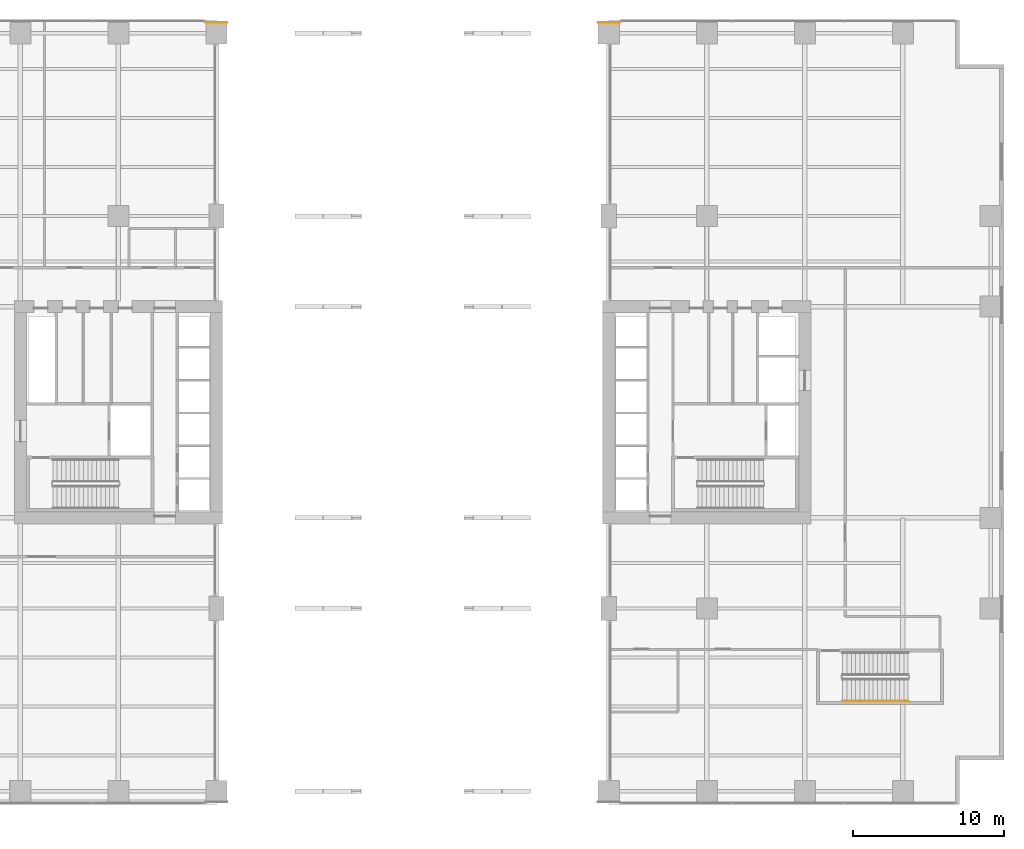
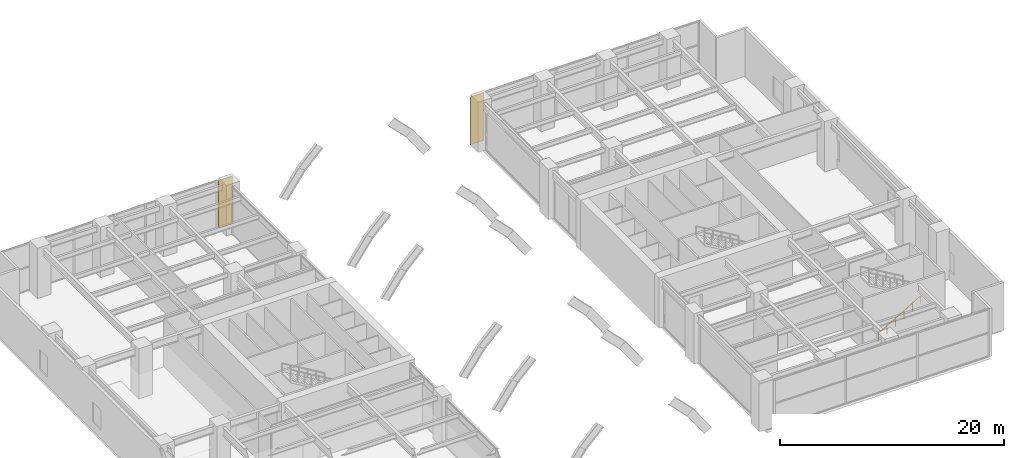
# One storey, part 17 of 18: 2 coverings, 1 railing.
"""IFC4 building model written with IfcOpenShell, lengths in metres."""

from ifc_helpers import new_model, si_unit, direction, frame, origin, origin_2d, place, context, subcontext, project, spatial, rectangle, circle, extrude, material, layer, layer_set, type_object, element, save


model = new_model("IFC4")

# Units and contexts
model_context = context("Model", 3, precision=1e-05, world=origin(), true_north=direction((0.0, 1.0)))
body_context = subcontext(model_context, "Body", "Model", "MODEL_VIEW")
ifc_project = project(units=[si_unit("LENGTHUNIT", "METRE"), si_unit("AREAUNIT", "SQUARE_METRE"), si_unit("VOLUMEUNIT", "CUBIC_METRE"), si_unit("PLANEANGLEUNIT", "RADIAN"), si_unit("MASSUNIT", "GRAM", prefix="KILO")], contexts=[model_context])

# Site, building, storey
site_placement = place(None, origin())
site = spatial("IfcSite", under=ifc_project, at=site_placement, CompositionType="ELEMENT")
building_placement = place(site_placement, origin())
building = spatial("IfcBuilding", under=site, at=building_placement, Name="Putna Gate Headquarters", CompositionType="ELEMENT")
storey_placement = place(building_placement, frame((0.0, 0.0, 11.5)))
storey = spatial("IfcBuildingStorey", under=building, at=storey_placement, Name="L02", CompositionType="ELEMENT", Elevation=11.5)

# Coverings
ifc_material_1 = material(Name="Anodised architectural bronze rainscreen cladding", Category="aluminium")
ifc_layer = layer(ifc_material_1, 0.0400390625)
ifc_layer_set = layer_set([ifc_layer], Name="Anodised architectural bronze rainscreen cladding")
covering_type = type_object("IfcCoveringType", Name="COV-BRONZE-CLADDING", PredefinedType="CLADDING", material=ifc_layer_set)
for number, where, z_axis, x_axis, name in (
    (1, (26.0, 51.8349609375, 0.0), (0.0, 0.0, 1.0), (1.0, 0.0, 0.0), "L02 Giant Arch Pier Bronze Cladding WN"),
    (2, (52.0, 51.8349609375, 0.0), (0.0, 0.0, 1.0), (1.0, 0.0, 0.0), "L02 Giant Arch Pier Bronze Cladding EN"),
):
    element("IfcCovering", number, at=place(storey_placement, frame(where, z_axis=z_axis, x_axis=x_axis)), inside=storey, type_object=covering_type, Name=name, PredefinedType="CLADDING", context=body_context, shape_type="SweptSolid", body=[
        extrude(rectangle(XDim=1.43994140625, YDim=0.0400390625, at=origin_2d()), origin(), (0.0, 0.0, 1.0), 5.219970703125),
    ])

# Railing
ifc_material_2 = material(Name="Brushed stainless steel handrail", Category="steel")
railing_type = type_object("IfcRailingType", Name="RAIL-STAIR-HAND-900", PredefinedType="HANDRAIL", material=ifc_material_2)
railing_placement = place(storey_placement, frame((67.5, 6.85009765625, 0.171875)))
element("IfcRailing", 3, at=railing_placement, inside=storey, type_object=railing_type, Name="L02 ST3 stair handrail 1", PredefinedType="HANDRAIL", context=body_context, shape_type="SweptSolid", body=[
    extrude(circle(Radius=0.02392578125, at=origin_2d()), frame((0.0, 0.0, 0.8759765625), z_axis=(0.860266436404, 0.0, 0.509844739501), x_axis=(0.0, 1.0, 0.0)), (0.0, 0.0, 1.0), 5.056640625),
    extrude(circle(Radius=0.02099609375, at=origin_2d()), origin(), (0.0, 0.0, 1.0), 0.851806640625),
    extrude(circle(Radius=0.02099609375, at=origin_2d()), frame((0.8701171875, 0.0, 0.515625)), (0.0, 0.0, 1.0), 0.851806640625),
    extrude(circle(Radius=0.02099609375, at=origin_2d()), frame((1.739990234375, 0.0, 1.03125)), (0.0, 0.0, 1.0), 0.851806640625),
    extrude(circle(Radius=0.02099609375, at=origin_2d()), frame((2.610107421875, 0.0, 1.546875)), (0.0, 0.0, 1.0), 0.851806640625),
    extrude(circle(Radius=0.02099609375, at=origin_2d()), frame((3.47998046875, 0.0, 2.0625)), (0.0, 0.0, 1.0), 0.851806640625),
    extrude(circle(Radius=0.02099609375, at=origin_2d()), frame((4.35009765625, 0.0, 2.578125)), (0.0, 0.0, 1.0), 0.851806640625),
])

save(model, "model.ifc")
